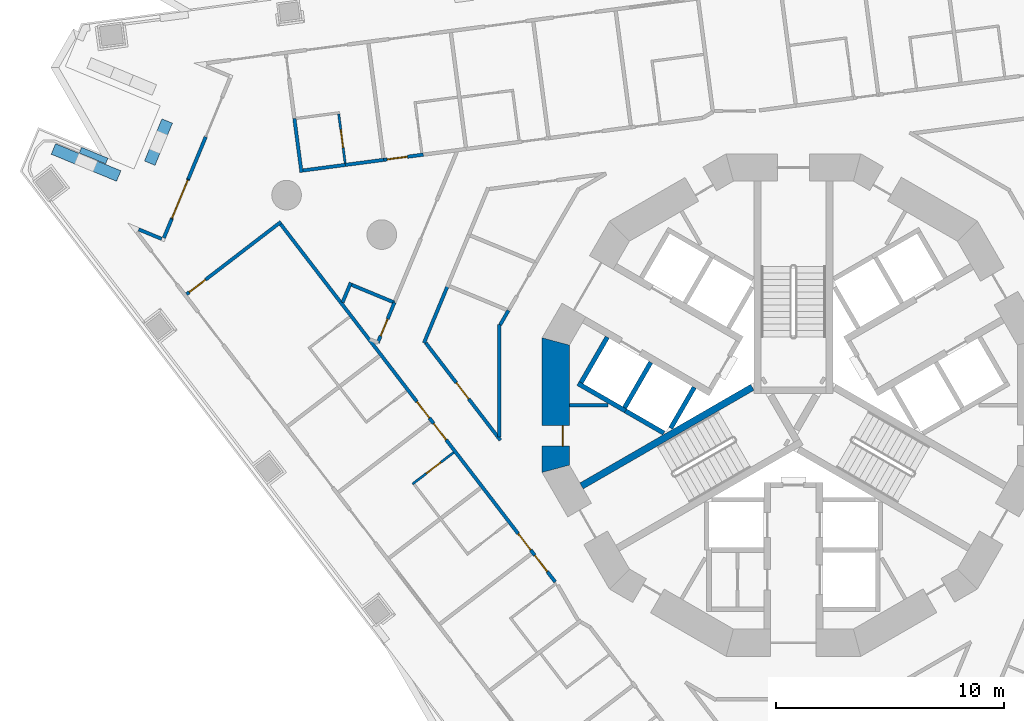
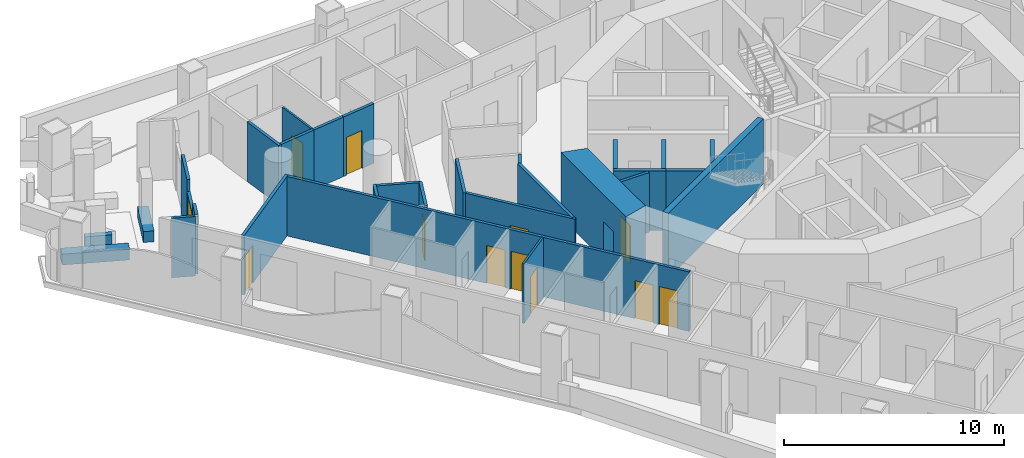
# One storey, part 6 of 20: 30 walls, 12 doors, 12 openings.
"""IFC4 building model written with IfcOpenShell, lengths in metres."""

import ifcopenshell
import ifcopenshell.guid

model = None  # the IFC model being written
_history = None  # IfcOwnerHistory: only IFC2X3 demands one
_inside = {}  # id of a spatial element -> (the spatial element, [elements in it])
_under = {}  # id of a project, library or spatial element -> (it, [spatial elements below it])
_declared = {}  # id of a project -> (the project, [libraries it declares])
_typed = {}  # id of a type object -> (the type object, [elements of that type])
_made_of = {}  # id of a material, layer set ... -> (it, [elements and type objects made of it])


def new_model(schema):
    """Start an empty IFC model of exactly this schema.

    Asked for "IFC4X3", IfcOpenShell would pick the latest addendum, in which some entities
    have other attributes; the version numbers below select the first issue.
    IFC2X3 requires an IfcOwnerHistory on every rooted entity: one is made here for all.
    """
    global model, _history
    if schema == "IFC4X3":
        model = ifcopenshell.file(schema_version=(4, 3, 0, 0))
    else:
        model = ifcopenshell.file(schema=schema)
    _inside.clear()
    _under.clear()
    _declared.clear()
    _typed.clear()
    _made_of.clear()
    _history = None
    if model.schema == "IFC2X3":
        org = make("IfcOrganization", Name="unknown")
        user = make(
            "IfcPersonAndOrganization",
            ThePerson=make("IfcPerson", FamilyName="unknown"),
            TheOrganization=org,
        )
        app = make(
            "IfcApplication",
            ApplicationDeveloper=org,
            Version="unknown",
            ApplicationFullName="unknown",
            ApplicationIdentifier="unknown",
        )
        _history = make(
            "IfcOwnerHistory",
            OwningUser=user,
            OwningApplication=app,
            ChangeAction="ADDED",
            CreationDate=0,
        )
    return model


def make(cls, **values):
    """One entity of the class cls with the attributes given. An attribute that is None is left unset."""
    return model.create_entity(
        cls, **{name: value for name, value in values.items() if value is not None}
    )


def rooted(cls, **values):
    """An entity with a GlobalId (a new one), such as an element, a storey or a relation."""
    return make(cls, GlobalId=ifcopenshell.guid.new(), OwnerHistory=_history, **values)


def si_unit(unit_type, name, prefix=None):
    """IfcSIUnit, for example si_unit("LENGTHUNIT", "METRE", prefix="MILLI")."""
    return make("IfcSIUnit", UnitType=unit_type, Prefix=prefix, Name=name)


def assignment(units):
    """IfcUnitAssignment: the units of a project."""
    return None if units is None else make("IfcUnitAssignment", Units=units)


def point(xyz):
    """IfcCartesianPoint."""
    return None if xyz is None else make("IfcCartesianPoint", Coordinates=xyz)


def direction(xyz):
    """IfcDirection."""
    return None if xyz is None else make("IfcDirection", DirectionRatios=xyz)


def frame(location, z_axis=None, x_axis=None):
    """IfcAxis2Placement3D, a coordinate frame: its origin and axes. An axis left out is left unset."""
    return make(
        "IfcAxis2Placement3D",
        Location=point(location),
        Axis=direction(z_axis),
        RefDirection=direction(x_axis),
    )


def frame_2d(location, x_axis=None):
    """IfcAxis2Placement2D, a coordinate frame in the plane: its origin and x axis."""
    return make(
        "IfcAxis2Placement2D", Location=point(location), RefDirection=direction(x_axis)
    )


def origin():
    """The frame at (0, 0, 0) with its axes left unset."""
    return frame((0.0, 0.0, 0.0))


def place(relative_to, where):
    """IfcLocalPlacement: puts the frame where relative to a parent placement (None: the world)."""
    return make(
        "IfcLocalPlacement", PlacementRelTo=relative_to, RelativePlacement=where
    )


def context(
    kind, dimensions, precision=None, world=None, true_north=None, identifier=None
):
    """IfcGeometricRepresentationContext, for example the 3D "Model" context."""
    return make(
        "IfcGeometricRepresentationContext",
        ContextIdentifier=identifier,
        ContextType=kind,
        CoordinateSpaceDimension=dimensions,
        Precision=precision,
        WorldCoordinateSystem=world,
        TrueNorth=true_north,
    )


def subcontext(parent, identifier, kind, view, scale=None):
    """IfcGeometricRepresentationSubContext, for example "Body" below "Model"."""
    return make(
        "IfcGeometricRepresentationSubContext",
        ContextIdentifier=identifier,
        ContextType=kind,
        ParentContext=parent,
        TargetScale=scale,
        TargetView=view,
    )


def project(units=None, contexts=None):
    """IfcProject with its units and contexts."""
    return rooted(
        "IfcProject",
        Name="project",
        RepresentationContexts=contexts,
        UnitsInContext=assignment(units),
    )


def spatial(cls, under=None, at=None, **own):
    """A site, building, storey or space (cls), placed at a placement, below another one or the project."""
    s = rooted(cls, ObjectPlacement=at, **own)
    if under is not None:
        _under.setdefault(under.id(), (under, []))[1].append(s)
    return s


def polyline(points):
    """IfcPolyline through the points."""
    return make("IfcPolyline", Points=[point(p) for p in points])


def profile(cls, at=None, kind="AREA", **sizes):
    """A parametric profile (cls). Its sizes go by their IFC names, for example OverallWidth=200.0."""
    return make(cls, ProfileType=kind, Position=at, **sizes)


def rectangle(**sizes):
    """IfcRectangleProfileDef."""
    return profile("IfcRectangleProfileDef", **sizes)


def outline(outer, holes=None, kind="AREA"):
    """IfcArbitraryClosedProfileDef: a profile drawn as a closed curve; with holes, ...WithVoids."""
    if holes is None:
        return make("IfcArbitraryClosedProfileDef", ProfileType=kind, OuterCurve=outer)
    return make(
        "IfcArbitraryProfileDefWithVoids",
        ProfileType=kind,
        OuterCurve=outer,
        InnerCurves=holes,
    )


def extrude(swept, where, along, depth):
    """IfcExtrudedAreaSolid: the profile swept, set in the frame where, extruded along a direction by depth."""
    return make(
        "IfcExtrudedAreaSolid",
        SweptArea=swept,
        Position=where,
        ExtrudedDirection=direction(along),
        Depth=depth,
    )


def shape(context_of_items, identifier, shape_type, items):
    """IfcShapeRepresentation: the items that make up one representation, for example the "Body"."""
    return make(
        "IfcShapeRepresentation",
        ContextOfItems=context_of_items,
        RepresentationIdentifier=identifier,
        RepresentationType=shape_type,
        Items=items,
    )


def material(Name=None, Category=None):
    """IfcMaterial."""
    return make("IfcMaterial", Name=Name, Category=Category)


def layer(
    of_material, thickness, ventilated=None, Name=None, Category=None, Priority=None
):
    """IfcMaterialLayer: one layer of a wall or slab, of a material (None: an air gap)."""
    return make(
        "IfcMaterialLayer",
        Material=of_material,
        LayerThickness=thickness,
        IsVentilated=ventilated,
        Name=Name,
        Category=Category,
        Priority=Priority,
    )


def layer_set(layers, Name=None):
    """IfcMaterialLayerSet."""
    return make("IfcMaterialLayerSet", MaterialLayers=layers, LayerSetName=Name)


def made_of(thing, what):
    """Note that an element or type object is made of a material, layer set ...; save() writes the relation."""
    if what is not None:
        _made_of.setdefault(what.id(), (what, []))[1].append(thing)
    return thing


def type_object(cls, material=None, **own):
    """A type object (cls), such as IfcWallType, which elements share."""
    return made_of(rooted(cls, **own), material)


def element(
    cls,
    number,
    at=None,
    inside=None,
    cuts=None,
    type_object=None,
    material=None,
    context=None,
    identifier="Body",
    shape_type=None,
    held_by="IfcProductDefinitionShape",
    body=None,
    shapes=None,
    **own,
):
    """One element of the class cls, such as IfcWall. Its Tag is "e" and its number.

    at: its placement. inside: the storey or other place that contains it. cuts: it is an
    opening in that element (IfcRelVoidsElement). A single representation is given by context,
    identifier, shape_type and body (its items); several are given by shapes. held_by: the class
    of the entity that holds the representations. save() writes the other relations.
    """
    e = rooted(cls, Tag="e%d" % number, ObjectPlacement=at, **own)
    if body is not None:
        shapes = [shape(context, identifier, shape_type, body)]
    if shapes is not None:
        e.Representation = make(held_by, Representations=shapes)
    if inside is not None:
        _inside.setdefault(inside.id(), (inside, []))[1].append(e)
    if cuts is not None:
        rooted(
            "IfcRelVoidsElement", RelatingBuildingElement=cuts, RelatedOpeningElement=e
        )
    if type_object is not None:
        _typed.setdefault(type_object.id(), (type_object, []))[1].append(e)
    return made_of(e, material)


def fill(opening, filler):
    """IfcRelFillsElement: the door or window that sits in an opening."""
    return rooted(
        "IfcRelFillsElement",
        RelatingOpeningElement=opening,
        RelatedBuildingElement=filler,
    )


def aggregate(whole, parts):
    """IfcRelAggregates: a whole, such as a stair, and the parts it consists of."""
    return rooted("IfcRelAggregates", RelatingObject=whole, RelatedObjects=parts)


def save(model, path):
    """Write the relations noted so far, then the file.

    IfcRelAggregates (storeys below a building ...), IfcRelContainedInSpatialStructure (elements
    in a storey), IfcRelDefinesByType, IfcRelAssociatesMaterial and IfcRelDeclares: one each for
    every whole, place, type object, material and project.
    """
    for whole, parts in _under.values():
        aggregate(whole, parts)
    for where, things in _inside.values():
        rooted(
            "IfcRelContainedInSpatialStructure",
            RelatedElements=things,
            RelatingStructure=where,
        )
    for kind, things in _typed.values():
        rooted("IfcRelDefinesByType", RelatedObjects=things, RelatingType=kind)
    for what, things in _made_of.values():
        rooted("IfcRelAssociatesMaterial", RelatedObjects=things, RelatingMaterial=what)
    for by, libraries in _declared.values():
        rooted("IfcRelDeclares", RelatingContext=by, RelatedDefinitions=libraries)
    model.write(path)


model = new_model("IFC4")

# Units and contexts
model_context = context("Model", 3, precision=1e-05, world=origin(), true_north=direction((0.0, 1.0)))
body_context = subcontext(model_context, "Body", "Model", "MODEL_VIEW")
ifc_project = project(units=[si_unit("LENGTHUNIT", "METRE"), si_unit("AREAUNIT", "SQUARE_METRE"), si_unit("VOLUMEUNIT", "CUBIC_METRE"), si_unit("PLANEANGLEUNIT", "RADIAN"), si_unit("MASSUNIT", "GRAM", prefix="KILO")], contexts=[model_context])

# Site, building, storey
site_placement = place(None, origin())
site = spatial("IfcSite", under=ifc_project, at=site_placement, CompositionType="ELEMENT")
building_placement = place(site_placement, origin())
building = spatial("IfcBuilding", under=site, at=building_placement, Name="Trine Commons Tower", CompositionType="ELEMENT")
storey_placement = place(building_placement, frame((0.0, 0.0, 50.39990234375)))
storey = spatial("IfcBuildingStorey", under=building, at=storey_placement, Name="L11", CompositionType="ELEMENT", Elevation=50.39990234375)

# Walls
ifc_material_1 = material(Name="Plasterboard partition on steel studs", Category="steel")
ifc_layer_1 = layer(ifc_material_1, 0.14990234375)
ifc_layer_set_1 = layer_set([ifc_layer_1], Name="Plasterboard partition on steel studs")
wall_type_1 = type_object("IfcWallType", Name="Core room partition 150 mm, EI 60", PredefinedType="PARTITIONING", material=ifc_layer_set_1)
wall_1_placement = place(storey_placement, frame((70.18798828125, 62.5, 0.0), z_axis=(0.0, 0.0, 1.0), x_axis=(1.0, 0.0, 0.0)))
element("IfcWall", 1, at=wall_1_placement, inside=storey, type_object=wall_type_1, Name="Core room partition L11", PredefinedType="PARTITIONING", context=body_context, shape_type="SweptSolid", body=[
    extrude(rectangle(XDim=1.68310546875, YDim=0.14990234375, at=frame_2d((0.841552734375, 0.0))), origin(), (0.0, 0.0, 1.0), 3.300048828125),
])
ifc_material_2 = material(Name="Aluminium-framed insulated wall panel", Category="aluminium")
ifc_layer_2 = layer(ifc_material_2, 0.14990234375)
ifc_layer_set_2 = layer_set([ifc_layer_2], Name="Aluminium-framed insulated wall panel")
wall_type_2 = type_object("IfcWallType", Name="Glazed frame wall 150, EI 60", PredefinedType="SOLIDWALL", material=ifc_layer_set_2)
wall_2_placement = place(storey_placement, frame((51.175537109375, 70.256103515625, 0.0), z_axis=(0.0, 0.0, 1.0), x_axis=(0.923901801611, -0.382629665579, 0.0)))
element("IfcWall", 2, at=wall_2_placement, inside=storey, type_object=wall_type_2, Name="Glazed frame wall R1", PredefinedType="SOLIDWALL", context=body_context, shape_type="SweptSolid", body=[
    extrude(outline(polyline([(0.1494140625, 0.074951171875), (0.1494140625, -0.074951171875), (1.235107421875, -0.074951171875), (1.235107421875, 0.074951171875), (0.1494140625, 0.074951171875)])), origin(), (0.0, 0.0, 1.0), 3.300048828125),
])
wall_3_placement = place(storey_placement, frame((52.372314453125, 69.722412109375, 0.0), z_axis=(0.0, 0.0, 1.0), x_axis=(0.382603377961, 0.923912688068, 0.0)))
element("IfcWall", 3, at=wall_3_placement, inside=storey, type_object=wall_type_2, Name="Glazed frame wall P1.1", PredefinedType="SOLIDWALL", context=body_context, shape_type="SweptSolid", body=[
    extrude(outline(polyline([(0.110107421875, -0.074951171875), (1.0, -0.074951171875), (1.0, 0.074951171875), (0.110107421875, 0.074951171875), (0.110107421875, -0.074951171875)])), origin(), (0.0, 0.0, 1.0), 3.300048828125),
])

# Wall, opening, door
wall_4_placement = place(storey_placement, frame((52.7548828125, 70.646240234375, 0.0), z_axis=(0.0, 0.0, 1.0), x_axis=(0.382771661121, 0.923842982028, 0.0)))
wall_4 = element("IfcWall", 4, at=wall_4_placement, inside=storey, type_object=wall_type_2, Name="Glazed frame wall P1.2", PredefinedType="SOLIDWALL", context=body_context, shape_type="SweptSolid", body=[
    extrude(outline(polyline([(0.0, -0.074951171875), (1.89990234375, -0.074951171875), (1.89990234375, 0.074951171875), (0.0, 0.074951171875), (0.0, -0.074951171875)])), origin(), (0.0, 0.0, 1.0), 2.650146484375),
])
opening_1_placement = place(wall_4_placement, frame((0.050048828125, 0.0, 0.0)))
opening_1 = element("IfcOpeningElement", 5, at=opening_1_placement, cuts=wall_4, Name="Opening BD-2P1-01", PredefinedType="OPENING", context=body_context, shape_type="SweptSolid", body=[
    extrude(rectangle(XDim=1.800048828125, YDim=2.60009765625, at=frame_2d((0.89990234375, 1.300048828125))), frame((0.0, 0.0849609375, 0.0), z_axis=(0.0, -1.0, 0.0), x_axis=(1.0, 0.0, 0.0)), (0.0, 0.0, 1.0), 0.169921875),
])
ifc_material_3 = material(Name="Anodised aluminium frame with double glazing", Category="aluminium")
door_type_1 = type_object("IfcDoorType", Name="Sliding loggia door 1800x2600", OperationType="SLIDING_TO_LEFT", PredefinedType="DOOR", material=ifc_material_3)
door_1_placement = place(opening_1_placement, origin())
door_1 = element("IfcDoor", 6, at=door_1_placement, inside=storey, type_object=door_type_1, Name="Loggia door P1 1", OperationType="SLIDING_TO_LEFT", OverallHeight=2.60009765625, OverallWidth=1.800048828125, PredefinedType="DOOR", context=body_context, shape_type="SweptSolid", body=[
    extrude(rectangle(XDim=1.800048828125, YDim=2.60009765625, at=frame_2d((0.89990234375, 1.300048828125))), frame((0.0, 0.02490234375, 0.0), z_axis=(0.0, -1.0, 0.0), x_axis=(1.0, 0.0, 0.0)), (0.0, 0.0, 1.0), 0.050048828125),
])
fill(opening_1, door_1)

# Walls
wall_5_placement = place(storey_placement, frame((53.482177734375, 72.401611328125, 0.0), z_axis=(0.0, 0.0, 1.0), x_axis=(0.382664423091, 0.923887406181, 0.0)))
element("IfcWall", 7, at=wall_5_placement, inside=storey, type_object=wall_type_2, Name="Glazed frame wall P1.3", PredefinedType="SOLIDWALL", context=body_context, shape_type="SweptSolid", body=[
    extrude(outline(polyline([(0.0, -0.074951171875), (2.0, -0.074951171875), (2.0, 0.074951171875), (0.0, 0.074951171875), (0.0, -0.074951171875)])), origin(), (0.0, 0.0, 1.0), 3.300048828125),
])
ifc_material_4 = material(Name="Planter trough, precast concrete C40/50", Category="concrete")
ifc_layer_3 = layer(ifc_material_4, 0.5)
ifc_layer_set_3 = layer_set([ifc_layer_3], Name="Planter trough, precast concrete C40/50")
wall_type_3 = type_object("IfcWallType", Name="Planter trough 500x600", PredefinedType="PARAPET", material=ifc_layer_set_3)
wall_6_placement = place(storey_placement, frame((47.5732421875, 73.723388671875, 0.0), z_axis=(0.0, 0.0, 1.0), x_axis=(0.923883411188, -0.382674068277, 0.0)))
element("IfcWall", 8, at=wall_6_placement, inside=storey, type_object=wall_type_3, Name="Planter 1", PredefinedType="PARAPET", context=body_context, shape_type="SweptSolid", body=[
    extrude(rectangle(XDim=3.099853515625, YDim=0.5, at=frame_2d((1.5498046875, 0.0))), origin(), (0.0, 0.0, 1.0), 0.60009765625),
])
wall_7_placement = place(storey_placement, frame((51.796142578125, 73.10009765625, 0.0), z_axis=(0.0, 0.0, 1.0), x_axis=(0.382603377961, 0.923912688068, 0.0)))
element("IfcWall", 9, at=wall_7_placement, inside=storey, type_object=wall_type_3, Name="Planter 2", PredefinedType="PARAPET", context=body_context, shape_type="SweptSolid", body=[
    extrude(rectangle(XDim=1.999755859375, YDim=0.5, at=frame_2d((1.0, 0.0))), origin(), (0.0, 0.0, 1.0), 0.60009765625),
])

# Wall, opening, door
ifc_material_5 = material(Name="Concrete C80/95", Category="concrete")
ifc_layer_4 = layer(ifc_material_5, 1.199951171875)
ifc_layer_set_4 = layer_set([ifc_layer_4], Name="Concrete C80/95")
wall_type_4 = type_object("IfcWallType", Name="RC shear wall 1200 mm, C80/95", PredefinedType="SHEAR", material=ifc_layer_set_4)
wall_8_placement = place(storey_placement, frame((69.58837890625, 65.450439453125, 0.0), z_axis=(0.0, 0.0, 1.0), x_axis=(0.0, -1.0, 0.0)))
wall_8 = element("IfcWall", 10, at=wall_8_placement, inside=storey, type_object=wall_type_4, Name="Core wall CWB-07 L11", PredefinedType="SHEAR", context=body_context, shape_type="SweptSolid", body=[
    extrude(outline(polyline([(0.0, -0.60009765625), (5.90087890625, -0.60009765625), (5.57958984375, 0.60009765625), (0.321533203125, 0.60009765625), (0.0, -0.60009765625)])), origin(), (0.0, 0.0, 1.0), 3.60009765625),
])
opening_2_placement = place(wall_8_placement, frame((3.8505859375, 0.0, 0.0)))
opening_2 = element("IfcOpeningElement", 11, at=opening_2_placement, cuts=wall_8, Name="Opening K06.14", PredefinedType="OPENING", context=body_context, shape_type="SweptSolid", body=[
    extrude(rectangle(XDim=0.89990234375, YDim=2.10009765625, at=frame_2d((0.449951171875, 1.050048828125))), frame((0.0, 0.60986328125, 0.0), z_axis=(0.0, -1.0, 0.0), x_axis=(1.0, 0.0, 0.0)), (0.0, 0.0, 1.0), 1.219970703125),
])
ifc_material_6 = material(Name="Steel door leaf, fire-rated", Category="steel")
door_type_2 = type_object("IfcDoorType", Name="Core room door, single leaf 900 x 2100, FD30S", OperationType="SINGLE_SWING_LEFT", PredefinedType="DOOR", material=ifc_material_6)
door_2_placement = place(opening_2_placement, origin())
door_2 = element("IfcDoor", 12, at=door_2_placement, inside=storey, type_object=door_type_2, Name="Door to Comms room L11", OperationType="SINGLE_SWING_RIGHT", OverallHeight=2.10009765625, OverallWidth=0.89990234375, PredefinedType="DOOR", context=body_context, shape_type="SweptSolid", body=[
    extrude(rectangle(XDim=0.89990234375, YDim=2.10009765625, at=frame_2d((0.449951171875, 1.050048828125))), frame((0.0, 0.3251953125, 0.0), z_axis=(0.0, -1.0, 0.0), x_axis=(1.0, 0.0, 0.0)), (0.0, 0.0, 1.0), 0.050048828125),
])
fill(opening_2, door_2)

# Walls
ifc_layer_5 = layer(ifc_material_5, 0.300048828125)
ifc_layer_set_5 = layer_set([ifc_layer_5], Name="Concrete C80/95")
wall_type_5 = type_object("IfcWallType", Name="RC shear wall 300 mm, C80/95", PredefinedType="SHEAR", material=ifc_layer_set_5)
wall_9_placement = place(storey_placement, frame((78.199951171875, 63.280029296875, 0.0), z_axis=(0.0, 0.0, 1.0), x_axis=(-0.865965399159, -0.500103916661, 0.0)))
element("IfcWall", 13, at=wall_9_placement, inside=storey, type_object=wall_type_5, Name="Core cross wall SWA-07 L11", PredefinedType="SHEAR", context=body_context, shape_type="SweptSolid", body=[
    extrude(rectangle(XDim=8.642333984375, YDim=0.300048828125, at=frame_2d((4.3212890625, 0.0))), origin(), (0.0, 0.0, 1.0), 3.60009765625),
])
ifc_material_7 = material(Name="Fire-rated gypsum shaft wall system")
ifc_layer_6 = layer(ifc_material_7, 0.199951171875)
ifc_layer_set_6 = layer_set([ifc_layer_6], Name="Fire-rated gypsum shaft wall system")
wall_type_6 = type_object("IfcWallType", Name="Shaft wall 200 mm, EI 120", PredefinedType="PARTITIONING", material=ifc_layer_set_6)
wall_10_placement = place(storey_placement, frame((71.844970703125, 65.47607421875, 0.0), z_axis=(0.0, 0.0, 1.0), x_axis=(-0.500136062276, -0.86594683394, 0.0)))
element("IfcWall", 14, at=wall_10_placement, inside=storey, type_object=wall_type_6, Name="Shaft wall L11", PredefinedType="PARTITIONING", context=body_context, shape_type="SweptSolid", body=[
    extrude(rectangle(XDim=2.299072265625, YDim=0.199951171875, at=frame_2d((1.1494140625, 0.0))), origin(), (0.0, 0.0, 1.0), 3.300048828125),
])
wall_11_placement = place(storey_placement, frame((72.637939453125, 62.248046875, 0.0), z_axis=(0.0, 0.0, 1.0), x_axis=(-0.866177122335, 0.499737123639, 0.0)))
element("IfcWall", 15, at=wall_11_placement, inside=storey, type_object=wall_type_6, Name="Shaft wall L11", PredefinedType="PARTITIONING", context=body_context, shape_type="SweptSolid", body=[
    extrude(rectangle(XDim=2.401123046875, YDim=0.199951171875, at=frame_2d((1.20068359375, 0.0))), origin(), (0.0, 0.0, 1.0), 3.300048828125),
])
wall_12_placement = place(storey_placement, frame((73.7509765625, 64.3759765625, 0.0), z_axis=(0.0, 0.0, 1.0), x_axis=(-0.500136062276, -0.86594683394, 0.0)))
element("IfcWall", 16, at=wall_12_placement, inside=storey, type_object=wall_type_6, Name="Shaft wall L11", PredefinedType="PARTITIONING", context=body_context, shape_type="SweptSolid", body=[
    extrude(rectangle(XDim=2.299072265625, YDim=0.199951171875, at=frame_2d((1.1494140625, 0.0))), origin(), (0.0, 0.0, 1.0), 3.300048828125),
])
wall_13_placement = place(storey_placement, frame((74.324951171875, 61.27294921875, 0.0), z_axis=(0.0, 0.0, 1.0), x_axis=(-0.865780634835, 0.500423712812, 0.0)))
element("IfcWall", 17, at=wall_13_placement, inside=storey, type_object=wall_type_6, Name="Shaft wall L11", PredefinedType="PARTITIONING", context=body_context, shape_type="SweptSolid", body=[
    extrude(rectangle(XDim=1.948486328125, YDim=0.199951171875, at=frame_2d((0.97412109375, 0.0))), origin(), (0.0, 0.0, 1.0), 3.300048828125),
])
wall_14_placement = place(storey_placement, frame((75.656005859375, 63.27587890625, 0.0), z_axis=(0.0, 0.0, 1.0), x_axis=(-0.500271688072, -0.86586848777, 0.0)))
element("IfcWall", 18, at=wall_14_placement, inside=storey, type_object=wall_type_6, Name="Shaft wall L11", PredefinedType="PARTITIONING", context=body_context, shape_type="SweptSolid", body=[
    extrude(rectangle(XDim=2.064697265625, YDim=0.199951171875, at=frame_2d((1.0322265625, 0.0))), origin(), (0.0, 0.0, 1.0), 3.300048828125),
])
ifc_material_8 = material(Name="Limestone, honed", Category="masonry")
ifc_layer_7 = layer(ifc_material_8, 0.300048828125)
ifc_layer_set_7 = layer_set([ifc_layer_7], Name="Limestone, honed")
wall_type_7 = type_object("IfcWallType", Name="Stone parapet 300", PredefinedType="PARAPET", material=ifc_layer_set_7)
wall_15_placement = place(storey_placement, origin())
element("IfcWall", 19, at=wall_15_placement, inside=storey, type_object=wall_type_7, Name="Sliver roof parapet extension L10 1.X2", PredefinedType="PARAPET", context=body_context, shape_type="SweptSolid", body=[
    extrude(outline(polyline([(49.8623046875, 73.067626953125), (49.9658203125, 73.31689453125), (48.810791015625, 73.79541015625), (48.70751953125, 73.5458984375), (49.8623046875, 73.067626953125)])), origin(), (0.0, 0.0, 1.0), 1.10009765625),
])

# Wall, opening, door
ifc_material_9 = material(Name="Gypsum plasterboard on steel stud", Category="steel")
ifc_layer_8 = layer(ifc_material_9, 0.14990234375)
ifc_layer_set_8 = layer_set([ifc_layer_8], Name="Gypsum plasterboard on steel stud")
wall_type_8 = type_object("IfcWallType", Name="Unit and corridor wall 150 mm, EI 60", PredefinedType="PARTITIONING", material=ifc_layer_set_8)
wall_16_placement = place(storey_placement, frame((53.41162109375, 67.3583984375, 0.0), z_axis=(0.0, 0.0, 1.0), x_axis=(0.793382437727, 0.608723506616, 0.0)))
wall_16 = element("IfcWall", 20, at=wall_16_placement, inside=storey, type_object=wall_type_8, Name="Partition 001", PredefinedType="PARTITIONING", context=body_context, shape_type="SweptSolid", body=[
    extrude(rectangle(XDim=5.213134765625, YDim=0.14990234375, at=frame_2d((2.6064453125, 0.0))), origin(), (0.0, 0.0, 1.0), 3.300048828125),
])
opening_3_placement = place(wall_16_placement, frame((0.14990234375, 0.0, 0.0)))
opening_3 = element("IfcOpeningElement", 21, at=opening_3_placement, cuts=wall_16, Name="Opening D-2A35", PredefinedType="OPENING", context=body_context, shape_type="SweptSolid", body=[
    extrude(rectangle(XDim=0.89990234375, YDim=2.10009765625, at=frame_2d((0.449951171875, 1.050048828125))), frame((0.0, 0.0849609375, 0.0), z_axis=(0.0, -1.0, 0.0), x_axis=(1.0, 0.0, 0.0)), (0.0, 0.0, 1.0), 0.169921875),
])
ifc_material_10 = material(Name="Timber fire door set", Category="wood")
door_type_3 = type_object("IfcDoorType", Name="Bedroom door 900 x 2100, FD30S", OperationType="NOTDEFINED", PredefinedType="DOOR", material=ifc_material_10)
door_3_placement = place(opening_3_placement, frame((0.89990234375, 0.0, 0.0), z_axis=(0.0, 0.0, 1.0), x_axis=(-1.0, 0.0, 0.0)))
door_3 = element("IfcDoor", 22, at=door_3_placement, inside=storey, type_object=door_type_3, Name="Door D-2A35", OperationType="SINGLE_SWING_RIGHT", OverallHeight=2.10009765625, OverallWidth=0.89990234375, PredefinedType="DOOR", context=body_context, shape_type="SweptSolid", body=[
    extrude(rectangle(XDim=0.89990234375, YDim=2.10009765625, at=frame_2d((0.449951171875, 1.050048828125))), frame((0.0, 0.02490234375, 0.0), z_axis=(0.0, -1.0, 0.0), x_axis=(1.0, 0.0, 0.0)), (0.0, 0.0, 1.0), 0.050048828125),
])
fill(opening_3, door_3)

# Wall, openings, doors
wall_17_placement = place(storey_placement, frame((57.53369140625, 70.426513671875, 0.0), z_axis=(0.0, 0.0, 1.0), x_axis=(0.608794371867, -0.793328061261, 0.0)))
wall_17 = element("IfcWall", 23, at=wall_17_placement, inside=storey, type_object=wall_type_8, Name="Partition 002", PredefinedType="PARTITIONING", context=body_context, shape_type="SweptSolid", body=[
    extrude(rectangle(XDim=19.75927734375, YDim=0.14990234375, at=frame_2d((9.879638671875, 0.0))), origin(), (0.0, 0.0, 1.0), 3.300048828125),
])
opening_4_placement = place(wall_17_placement, frame((18.293212890625, 0.0, 0.0)))
opening_4 = element("IfcOpeningElement", 24, at=opening_4_placement, cuts=wall_17, Name="Opening D-2A31", PredefinedType="OPENING", context=body_context, shape_type="SweptSolid", body=[
    extrude(rectangle(XDim=0.89990234375, YDim=2.10009765625, at=frame_2d((0.449951171875, 1.050048828125))), frame((0.0, 0.0849609375, 0.0), z_axis=(0.0, -1.0, 0.0), x_axis=(1.0, 0.0, 0.0)), (0.0, 0.0, 1.0), 0.169921875),
])
opening_5_placement = place(wall_17_placement, frame((17.093017578125, 0.0, 0.0)))
opening_5 = element("IfcOpeningElement", 25, at=opening_5_placement, cuts=wall_17, Name="Opening D-2A32", PredefinedType="OPENING", context=body_context, shape_type="SweptSolid", body=[
    extrude(rectangle(XDim=0.89990234375, YDim=2.10009765625, at=frame_2d((0.449951171875, 1.050048828125))), frame((0.0, 0.0849609375, 0.0), z_axis=(0.0, -1.0, 0.0), x_axis=(1.0, 0.0, 0.0)), (0.0, 0.0, 1.0), 0.169921875),
])
opening_6_placement = place(wall_17_placement, frame((11.00634765625, 0.0, 0.0)))
opening_6 = element("IfcOpeningElement", 26, at=opening_6_placement, cuts=wall_17, Name="Opening D-2A33", PredefinedType="OPENING", context=body_context, shape_type="SweptSolid", body=[
    extrude(rectangle(XDim=0.89990234375, YDim=2.10009765625, at=frame_2d((0.449951171875, 1.050048828125))), frame((0.0, 0.0849609375, 0.0), z_axis=(0.0, -1.0, 0.0), x_axis=(1.0, 0.0, 0.0)), (0.0, 0.0, 1.0), 0.169921875),
])
opening_7_placement = place(wall_17_placement, frame((9.806396484375, 0.0, 0.0)))
opening_7 = element("IfcOpeningElement", 27, at=opening_7_placement, cuts=wall_17, Name="Opening D-2A34", PredefinedType="OPENING", context=body_context, shape_type="SweptSolid", body=[
    extrude(rectangle(XDim=0.89990234375, YDim=2.10009765625, at=frame_2d((0.449951171875, 1.050048828125))), frame((0.0, 0.0849609375, 0.0), z_axis=(0.0, -1.0, 0.0), x_axis=(1.0, 0.0, 0.0)), (0.0, 0.0, 1.0), 0.169921875),
])
door_4_placement = place(opening_4_placement, frame((0.89990234375, 0.0, 0.0), z_axis=(0.0, 0.0, 1.0), x_axis=(-1.0, 0.0, 0.0)))
door_4 = element("IfcDoor", 28, at=door_4_placement, inside=storey, type_object=door_type_3, Name="Door D-2A31", OperationType="SINGLE_SWING_LEFT", OverallHeight=2.10009765625, OverallWidth=0.89990234375, PredefinedType="DOOR", context=body_context, shape_type="SweptSolid", body=[
    extrude(rectangle(XDim=0.89990234375, YDim=2.10009765625, at=frame_2d((0.449951171875, 1.050048828125))), frame((0.0, 0.02490234375, 0.0), z_axis=(0.0, -1.0, 0.0), x_axis=(1.0, 0.0, 0.0)), (0.0, 0.0, 1.0), 0.050048828125),
])
fill(opening_4, door_4)
door_5_placement = place(opening_5_placement, frame((0.89990234375, 0.0, 0.0), z_axis=(0.0, 0.0, 1.0), x_axis=(-1.0, 0.0, 0.0)))
door_5 = element("IfcDoor", 29, at=door_5_placement, inside=storey, type_object=door_type_3, Name="Door D-2A32", OperationType="SINGLE_SWING_LEFT", OverallHeight=2.10009765625, OverallWidth=0.89990234375, PredefinedType="DOOR", context=body_context, shape_type="SweptSolid", body=[
    extrude(rectangle(XDim=0.89990234375, YDim=2.10009765625, at=frame_2d((0.449951171875, 1.050048828125))), frame((0.0, 0.02490234375, 0.0), z_axis=(0.0, -1.0, 0.0), x_axis=(1.0, 0.0, 0.0)), (0.0, 0.0, 1.0), 0.050048828125),
])
fill(opening_5, door_5)
door_6_placement = place(opening_6_placement, frame((0.89990234375, 0.0, 0.0), z_axis=(0.0, 0.0, 1.0), x_axis=(-1.0, 0.0, 0.0)))
door_6 = element("IfcDoor", 30, at=door_6_placement, inside=storey, type_object=door_type_3, Name="Door D-2A33", OperationType="SINGLE_SWING_LEFT", OverallHeight=2.10009765625, OverallWidth=0.89990234375, PredefinedType="DOOR", context=body_context, shape_type="SweptSolid", body=[
    extrude(rectangle(XDim=0.89990234375, YDim=2.10009765625, at=frame_2d((0.449951171875, 1.050048828125))), frame((0.0, 0.02490234375, 0.0), z_axis=(0.0, -1.0, 0.0), x_axis=(1.0, 0.0, 0.0)), (0.0, 0.0, 1.0), 0.050048828125),
])
fill(opening_6, door_6)
door_7_placement = place(opening_7_placement, frame((0.89990234375, 0.0, 0.0), z_axis=(0.0, 0.0, 1.0), x_axis=(-1.0, 0.0, 0.0)))
door_7 = element("IfcDoor", 31, at=door_7_placement, inside=storey, type_object=door_type_3, Name="Door D-2A34", OperationType="SINGLE_SWING_LEFT", OverallHeight=2.10009765625, OverallWidth=0.89990234375, PredefinedType="DOOR", context=body_context, shape_type="SweptSolid", body=[
    extrude(rectangle(XDim=0.89990234375, YDim=2.10009765625, at=frame_2d((0.449951171875, 1.050048828125))), frame((0.0, 0.02490234375, 0.0), z_axis=(0.0, -1.0, 0.0), x_axis=(1.0, 0.0, 0.0)), (0.0, 0.0, 1.0), 0.050048828125),
])
fill(opening_7, door_7)

# Walls
wall_18_placement = place(storey_placement, frame((58.134033203125, 75.054931640625, 0.0), z_axis=(0.0, 0.0, 1.0), x_axis=(0.130650971648, -0.991428425862, 0.0)))
element("IfcWall", 32, at=wall_18_placement, inside=storey, type_object=wall_type_8, Name="Partition 005", PredefinedType="PARTITIONING", context=body_context, shape_type="SweptSolid", body=[
    extrude(rectangle(XDim=2.37890625, YDim=0.14990234375, at=frame_2d((1.189453125, 0.0))), origin(), (0.0, 0.0, 1.0), 3.300048828125),
])
wall_19_placement = place(storey_placement, frame((58.509521484375, 72.78076171875, 0.0), z_axis=(0.0, 0.0, 1.0), x_axis=(0.991460041982, 0.130410832196, 0.0)))
element("IfcWall", 33, at=wall_19_placement, inside=storey, type_object=wall_type_8, Name="Partition 007", PredefinedType="PARTITIONING", context=body_context, shape_type="SweptSolid", body=[
    extrude(rectangle(XDim=1.879638671875, YDim=0.14990234375, at=frame_2d((0.93994140625, 0.0))), origin(), (0.0, 0.0, 1.0), 3.300048828125),
])
wall_20_placement = place(storey_placement, frame((60.24560546875, 67.000244140625, 0.0), z_axis=(0.0, 0.0, 1.0), x_axis=(0.383080061035, 0.923715143774, 0.0)))
element("IfcWall", 34, at=wall_20_placement, inside=storey, type_object=wall_type_8, Name="Partition 013", PredefinedType="PARTITIONING", context=body_context, shape_type="SweptSolid", body=[
    extrude(rectangle(XDim=0.9375, YDim=0.14990234375, at=frame_2d((0.46875, 0.0))), origin(), (0.0, 0.0, 1.0), 3.300048828125),
])
wall_21_placement = place(storey_placement, frame((60.364990234375, 73.02490234375, 0.0), z_axis=(0.0, 0.0, 1.0), x_axis=(0.991474842511, 0.130298260417, 0.0)))
element("IfcWall", 35, at=wall_21_placement, inside=storey, type_object=wall_type_8, Name="Partition 014", PredefinedType="PARTITIONING", context=body_context, shape_type="SweptSolid", body=[
    extrude(rectangle(XDim=1.697509765625, YDim=0.14990234375, at=frame_2d((0.8486328125, 0.0))), origin(), (0.0, 0.0, 1.0), 3.300048828125),
])
wall_22_placement = place(storey_placement, frame((60.645263671875, 67.768310546875, 0.0), z_axis=(0.0, 0.0, 1.0), x_axis=(0.923799320148, -0.382877024767, 0.0)))
element("IfcWall", 36, at=wall_22_placement, inside=storey, type_object=wall_type_8, Name="Partition 015", PredefinedType="PARTITIONING", context=body_context, shape_type="SweptSolid", body=[
    extrude(rectangle(XDim=2.025146484375, YDim=0.14990234375, at=frame_2d((1.0126953125, 0.0))), origin(), (0.0, 0.0, 1.0), 3.300048828125),
])

# Wall, opening, door
wall_23_placement = place(storey_placement, frame((61.787109375, 65.23388671875, 0.0), z_axis=(0.0, 0.0, 1.0), x_axis=(0.38314285934, 0.923689097769, 0.0)))
wall_23 = element("IfcWall", 37, at=wall_23_placement, inside=storey, type_object=wall_type_8, Name="Partition 019", PredefinedType="PARTITIONING", context=body_context, shape_type="SweptSolid", body=[
    extrude(rectangle(XDim=1.90771484375, YDim=0.14990234375, at=frame_2d((0.953857421875, 0.0))), origin(), (0.0, 0.0, 1.0), 3.300048828125),
])
opening_8_placement = place(wall_23_placement, frame((0.328125, 0.0, 0.0)))
opening_8 = element("IfcOpeningElement", 38, at=opening_8_placement, cuts=wall_23, Name="Opening D-2A06", PredefinedType="OPENING", context=body_context, shape_type="SweptSolid", body=[
    extrude(rectangle(XDim=0.800048828125, YDim=2.10009765625, at=frame_2d((0.39990234375, 1.050048828125))), frame((0.0, 0.0849609375, 0.0), z_axis=(0.0, -1.0, 0.0), x_axis=(1.0, 0.0, 0.0)), (0.0, 0.0, 1.0), 0.169921875),
])
ifc_material_11 = material(Name="Painted timber", Category="wood")
door_type_4 = type_object("IfcDoorType", Name="Toilet door 800 x 2100, NOT RATED", OperationType="NOTDEFINED", PredefinedType="DOOR", material=ifc_material_11)
door_8_placement = place(opening_8_placement, origin())
door_8 = element("IfcDoor", 39, at=door_8_placement, inside=storey, type_object=door_type_4, Name="Door D-2A06", OperationType="SINGLE_SWING_LEFT", OverallHeight=2.10009765625, OverallWidth=0.800048828125, PredefinedType="DOOR", context=body_context, shape_type="SweptSolid", body=[
    extrude(rectangle(XDim=0.800048828125, YDim=2.10009765625, at=frame_2d((0.39990234375, 1.050048828125))), frame((0.0, 0.02490234375, 0.0), z_axis=(0.0, -1.0, 0.0), x_axis=(1.0, 0.0, 0.0)), (0.0, 0.0, 1.0), 0.050048828125),
])
fill(opening_8, door_8)

wall_24_placement = place(storey_placement, frame((62.048095703125, 73.24609375, 0.0), z_axis=(0.0, 0.0, 1.0), x_axis=(0.991412396829, 0.130772548398, 0.0)))
wall_24 = element("IfcWall", 40, at=wall_24_placement, inside=storey, type_object=wall_type_8, Name="Partition 020", PredefinedType="PARTITIONING", context=body_context, shape_type="SweptSolid", body=[
    extrude(rectangle(XDim=1.747314453125, YDim=0.14990234375, at=frame_2d((0.87353515625, 0.0))), origin(), (0.0, 0.0, 1.0), 3.300048828125),
])
opening_9_placement = place(wall_24_placement, frame((0.14990234375, 0.0, 0.0)))
opening_9 = element("IfcOpeningElement", 41, at=opening_9_placement, cuts=wall_24, Name="Opening D-2A08", PredefinedType="OPENING", context=body_context, shape_type="SweptSolid", body=[
    extrude(rectangle(XDim=0.89990234375, YDim=2.10009765625, at=frame_2d((0.449951171875, 1.050048828125))), frame((0.0, 0.0849609375, 0.0), z_axis=(0.0, -1.0, 0.0), x_axis=(1.0, 0.0, 0.0)), (0.0, 0.0, 1.0), 0.169921875),
])
door_9_placement = place(opening_9_placement, origin())
door_9 = element("IfcDoor", 42, at=door_9_placement, inside=storey, type_object=door_type_3, Name="Door D-2A08", OperationType="SINGLE_SWING_LEFT", OverallHeight=2.10009765625, OverallWidth=0.89990234375, PredefinedType="DOOR", context=body_context, shape_type="SweptSolid", body=[
    extrude(rectangle(XDim=0.89990234375, YDim=2.10009765625, at=frame_2d((0.449951171875, 1.050048828125))), frame((0.0, 0.02490234375, 0.0), z_axis=(0.0, -1.0, 0.0), x_axis=(1.0, 0.0, 0.0)), (0.0, 0.0, 1.0), 0.050048828125),
])
fill(opening_9, door_9)

# Wall
wall_25_placement = place(storey_placement, frame((63.811279296875, 65.2197265625, 0.0), z_axis=(0.0, 0.0, 1.0), x_axis=(0.382485754441, 0.923961388614, 0.0)))
element("IfcWall", 43, at=wall_25_placement, inside=storey, type_object=wall_type_8, Name="Partition 028", PredefinedType="PARTITIONING", context=body_context, shape_type="SweptSolid", body=[
    extrude(rectangle(XDim=2.736328125, YDim=0.14990234375, at=frame_2d((1.3681640625, 0.0))), origin(), (0.0, 0.0, 1.0), 3.300048828125),
])

# Wall, opening, door
wall_26_placement = place(storey_placement, frame((63.8857421875, 65.2294921875, 0.0), z_axis=(0.0, 0.0, 1.0), x_axis=(0.608696503356, -0.793403155276, 0.0)))
wall_26 = element("IfcWall", 44, at=wall_26_placement, inside=storey, type_object=wall_type_8, Name="Partition 029", PredefinedType="PARTITIONING", context=body_context, shape_type="SweptSolid", body=[
    extrude(rectangle(XDim=5.376953125, YDim=0.14990234375, at=frame_2d((2.6884765625, 0.0))), origin(), (0.0, 0.0, 1.0), 3.300048828125),
])
opening_10_placement = place(wall_26_placement, frame((2.200927734375, 0.0, 0.0)))
opening_10 = element("IfcOpeningElement", 45, at=opening_10_placement, cuts=wall_26, Name="Opening D-2A38", PredefinedType="OPENING", context=body_context, shape_type="SweptSolid", body=[
    extrude(rectangle(XDim=0.89990234375, YDim=2.10009765625, at=frame_2d((0.449951171875, 1.050048828125))), frame((0.0, 0.0849609375, 0.0), z_axis=(0.0, -1.0, 0.0), x_axis=(1.0, 0.0, 0.0)), (0.0, 0.0, 1.0), 0.169921875),
])
door_type_5 = type_object("IfcDoorType", Name="Service door 900 x 2100, FD30S", OperationType="NOTDEFINED", PredefinedType="DOOR", material=ifc_material_10)
door_10_placement = place(opening_10_placement, origin())
door_10 = element("IfcDoor", 46, at=door_10_placement, inside=storey, type_object=door_type_5, Name="Door D-2A38", OperationType="SINGLE_SWING_LEFT", OverallHeight=2.10009765625, OverallWidth=0.89990234375, PredefinedType="DOOR", context=body_context, shape_type="SweptSolid", body=[
    extrude(rectangle(XDim=0.89990234375, YDim=2.10009765625, at=frame_2d((0.449951171875, 1.050048828125))), frame((0.0, 0.02490234375, 0.0), z_axis=(0.0, -1.0, 0.0), x_axis=(1.0, 0.0, 0.0)), (0.0, 0.0, 1.0), 0.050048828125),
])
fill(opening_10, door_10)

# Walls
wall_27_placement = place(storey_placement, frame((67.113037109375, 61.093994140625, 0.0), z_axis=(0.0, 0.0, 1.0), x_axis=(0.0, 1.0, 0.0)))
element("IfcWall", 47, at=wall_27_placement, inside=storey, type_object=wall_type_8, Name="Partition 043", PredefinedType="PARTITIONING", context=body_context, shape_type="SweptSolid", body=[
    extrude(rectangle(XDim=4.93408203125, YDim=0.14990234375, at=frame_2d((2.467041015625, 0.0))), origin(), (0.0, 0.0, 1.0), 3.300048828125),
])
wall_28_placement = place(storey_placement, frame((67.150390625, 66.01806640625, 0.0), z_axis=(0.0, 0.0, 1.0), x_axis=(0.499858068882, 0.866107332248, 0.0)))
element("IfcWall", 48, at=wall_28_placement, inside=storey, type_object=wall_type_8, Name="Partition 044", PredefinedType="PARTITIONING", context=body_context, shape_type="SweptSolid", body=[
    extrude(rectangle(XDim=0.727294921875, YDim=0.14990234375, at=frame_2d((0.36376953125, 0.0))), origin(), (0.0, 0.0, 1.0), 3.300048828125),
])

# Wall, opening, door
ifc_layer_9 = layer(ifc_material_9, 0.10009765625)
ifc_layer_set_9 = layer_set([ifc_layer_9], Name="Gypsum plasterboard on steel stud")
wall_type_9 = type_object("IfcWallType", Name="Unit partition 100 mm, no rating", PredefinedType="PARTITIONING", material=ifc_layer_set_9)
wall_29_placement = place(storey_placement, frame((60.075439453125, 75.25634765625, 0.0), z_axis=(0.0, 0.0, 1.0), x_axis=(0.13039935739, -0.991461551242, 0.0)))
wall_29 = element("IfcWall", 49, at=wall_29_placement, inside=storey, type_object=wall_type_9, Name="Partition 011", PredefinedType="PARTITIONING", context=body_context, shape_type="SweptSolid", body=[
    extrude(rectangle(XDim=2.175537109375, YDim=0.10009765625, at=frame_2d((1.087890625, 0.0))), origin(), (0.0, 0.0, 1.0), 3.300048828125),
])
opening_11_placement = place(wall_29_placement, frame((0.687744140625, 0.0, 0.0)))
opening_11 = element("IfcOpeningElement", 50, at=opening_11_placement, cuts=wall_29, Name="Opening D-2A41", PredefinedType="OPENING", context=body_context, shape_type="SweptSolid", body=[
    extrude(rectangle(XDim=0.800048828125, YDim=2.10009765625, at=frame_2d((0.39990234375, 1.050048828125))), frame((0.0, 0.06005859375, 0.0), z_axis=(0.0, -1.0, 0.0), x_axis=(1.0, 0.0, 0.0)), (0.0, 0.0, 1.0), 0.1201171875),
])
door_type_6 = type_object("IfcDoorType", Name="Internal door 800 x 2100, NOT RATED", OperationType="NOTDEFINED", PredefinedType="DOOR", material=ifc_material_11)
door_11_placement = place(opening_11_placement, origin())
door_11 = element("IfcDoor", 51, at=door_11_placement, inside=storey, type_object=door_type_6, Name="Door D-2A41", OperationType="SINGLE_SWING_LEFT", OverallHeight=2.10009765625, OverallWidth=0.800048828125, PredefinedType="DOOR", context=body_context, shape_type="SweptSolid", body=[
    extrude(rectangle(XDim=0.800048828125, YDim=2.10009765625, at=frame_2d((0.39990234375, 1.050048828125))), frame((0.0, 0.02490234375, 0.0), z_axis=(0.0, -1.0, 0.0), x_axis=(1.0, 0.0, 0.0)), (0.0, 0.0, 1.0), 0.050048828125),
])
fill(opening_11, door_11)

wall_30_placement = place(storey_placement, frame((63.309326171875, 59.04052734375, 0.0), z_axis=(0.0, 0.0, 1.0), x_axis=(0.793437070432, 0.608652294224, 0.0)))
wall_30 = element("IfcWall", 52, at=wall_30_placement, inside=storey, type_object=wall_type_9, Name="Partition 023", PredefinedType="PARTITIONING", context=body_context, shape_type="SweptSolid", body=[
    extrude(rectangle(XDim=2.275146484375, YDim=0.10009765625, at=frame_2d((1.1376953125, 0.0))), origin(), (0.0, 0.0, 1.0), 3.300048828125),
])
opening_12_placement = place(wall_30_placement, frame((0.762451171875, 0.0, 0.0)))
opening_12 = element("IfcOpeningElement", 53, at=opening_12_placement, cuts=wall_30, Name="Opening D-2A63", PredefinedType="OPENING", context=body_context, shape_type="SweptSolid", body=[
    extrude(rectangle(XDim=0.800048828125, YDim=2.10009765625, at=frame_2d((0.39990234375, 1.050048828125))), frame((0.0, 0.06005859375, 0.0), z_axis=(0.0, -1.0, 0.0), x_axis=(1.0, 0.0, 0.0)), (0.0, 0.0, 1.0), 0.1201171875),
])
door_12_placement = place(opening_12_placement, origin())
door_12 = element("IfcDoor", 54, at=door_12_placement, inside=storey, type_object=door_type_6, Name="Door D-2A63", OperationType="SINGLE_SWING_RIGHT", OverallHeight=2.10009765625, OverallWidth=0.800048828125, PredefinedType="DOOR", context=body_context, shape_type="SweptSolid", body=[
    extrude(rectangle(XDim=0.800048828125, YDim=2.10009765625, at=frame_2d((0.39990234375, 1.050048828125))), frame((0.0, 0.02490234375, 0.0), z_axis=(0.0, -1.0, 0.0), x_axis=(1.0, 0.0, 0.0)), (0.0, 0.0, 1.0), 0.050048828125),
])
fill(opening_12, door_12)

save(model, "model.ifc")
